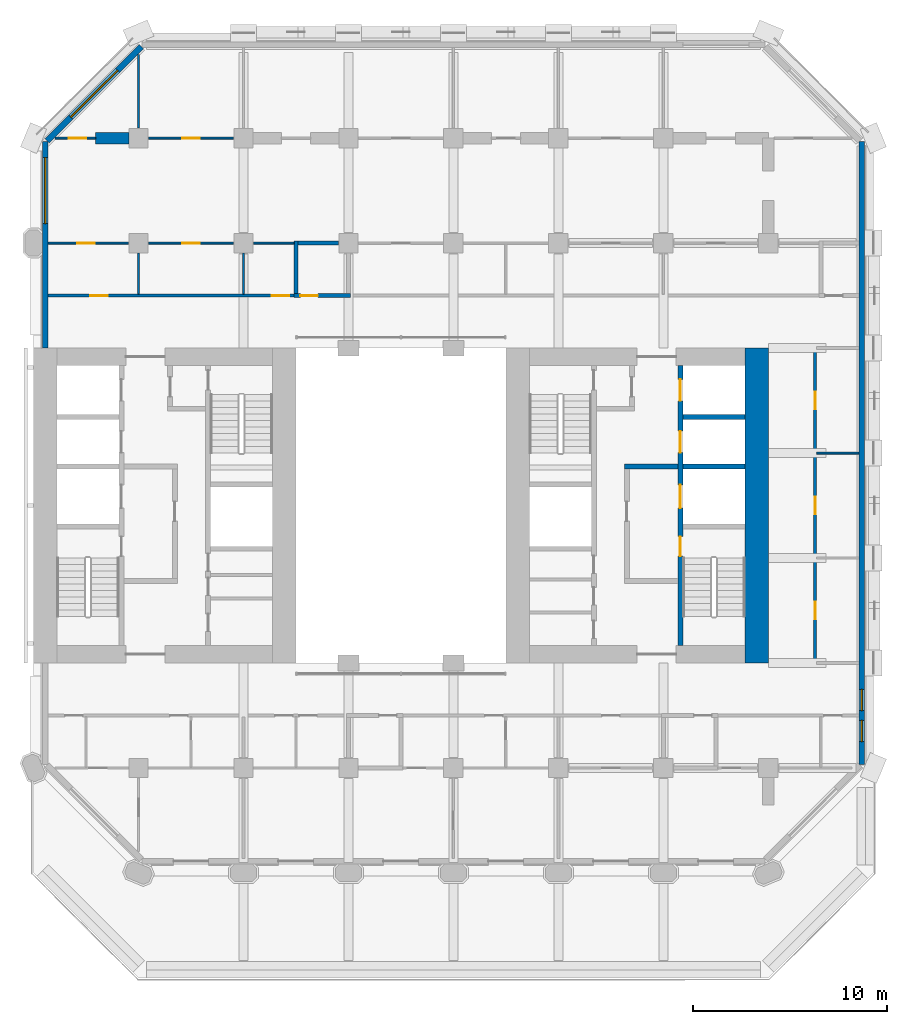
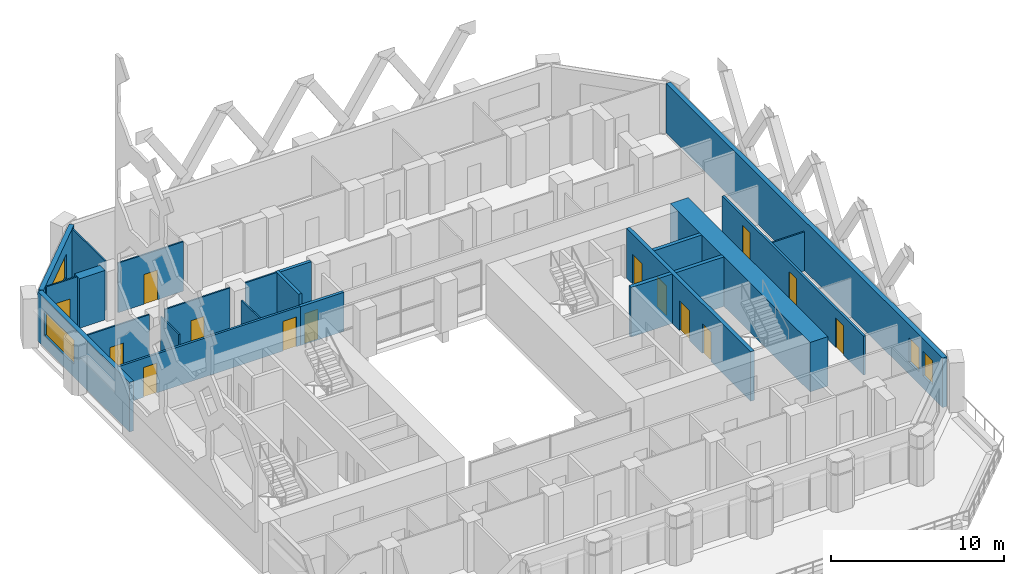
# One storey, part 11 of 16: 23 walls, 14 doors, 4 windows, 18 openings.
"""IFC4 building model written with IfcOpenShell, lengths in metres."""

from ifc_helpers import new_model, si_unit, direction, frame, frame_2d, origin, place, context, subcontext, project, spatial, rectangle, extrude, material, layer, layer_set, type_object, element, fill, save


model = new_model("IFC4")

# Units and contexts
model_context = context("Model", 3, precision=1e-05, world=origin(), true_north=direction((0.0, 1.0)))
body_context = subcontext(model_context, "Body", "Model", "MODEL_VIEW")
ifc_project = project(units=[si_unit("LENGTHUNIT", "METRE"), si_unit("AREAUNIT", "SQUARE_METRE"), si_unit("VOLUMEUNIT", "CUBIC_METRE"), si_unit("PLANEANGLEUNIT", "RADIAN"), si_unit("MASSUNIT", "GRAM", prefix="KILO")], contexts=[model_context])

# Site, building, storey
site_placement = place(None, origin())
site = spatial("IfcSite", under=ifc_project, at=site_placement, CompositionType="ELEMENT")
building_placement = place(site_placement, origin())
building = spatial("IfcBuilding", under=site, at=building_placement, Name="Tabaq Tower and Sports Hall", CompositionType="ELEMENT")
storey_placement = place(building_placement, frame((0.0, 0.0, 65.0)))
storey = spatial("IfcBuildingStorey", under=building, at=storey_placement, Name="L14", CompositionType="ELEMENT", Elevation=65.0)

# Wall
ifc_material_1 = material(Name="Concrete C60/75", Category="concrete")
ifc_layer_1 = layer(ifc_material_1, 1.199951171875)
ifc_layer_set_1 = layer_set([ifc_layer_1], Name="Core wall 1200 Concrete C60/75")
wall_type_1 = type_object("IfcWallType", Name="Core wall 1200 Concrete C60/75", PredefinedType="SOLIDWALL", material=ifc_layer_set_1)
wall_1_placement = place(storey_placement, frame((42.60009765625, 32.39990234375, 0.0), z_axis=(0.0, 0.0, 1.0), x_axis=(0.0, -1.0, 0.0)))
element("IfcWall", 1, at=wall_1_placement, inside=storey, type_object=wall_type_1, Name="Core wall E L14", PredefinedType="SOLIDWALL", context=body_context, shape_type="SweptSolid", body=[
    extrude(rectangle(XDim=16.199951171875, YDim=1.199951171875, at=frame_2d((8.10009765625, 0.0))), origin(), (0.0, 0.0, 1.0), 3.5),
])

# Wall, opening, door
ifc_material_2 = material(Name="Blockwork", Category="masonry")
ifc_layer_2 = layer(ifc_material_2, 0.199951171875)
ifc_layer_set_2 = layer_set([ifc_layer_2], Name="Fire compartment wall 200 Blockwork")
wall_type_2 = type_object("IfcWallType", Name="Fire compartment wall 200 Blockwork", PredefinedType="PARTITIONING", material=ifc_layer_set_2)
wall_2_placement = place(storey_placement, frame((18.800048828125, 35.10009765625, 0.0), z_axis=(0.0, 0.0, 1.0), x_axis=(1.0, 0.0, 0.0)))
wall_2 = element("IfcWall", 2, at=wall_2_placement, inside=storey, type_object=wall_type_2, Name="Compartment wall L14", PredefinedType="PARTITIONING", context=body_context, shape_type="SweptSolid", body=[
    extrude(rectangle(XDim=2.89990234375, YDim=0.199951171875, at=frame_2d((1.449951171875, 0.0))), origin(), (0.0, 0.0, 1.0), 2.75),
])
opening_1_placement = place(wall_2_placement, frame((0.320068359375, 0.0, 0.0)))
opening_1 = element("IfcOpeningElement", 3, at=opening_1_placement, cuts=wall_2, Name="Opening L14-002", PredefinedType="OPENING", context=body_context, shape_type="SweptSolid", body=[
    extrude(rectangle(XDim=0.89990234375, YDim=2.10009765625, at=frame_2d((0.449951171875, 1.050048828125))), frame((0.0, 0.10009765625, 0.0), z_axis=(0.0, -1.0, 0.0), x_axis=(1.0, 0.0, 0.0)), (0.0, 0.0, 1.0), 0.199951171875),
])
ifc_material_3 = material(Name="Steel fire door", Category="steel")
door_type_1 = type_object("IfcDoorType", Name="Plant room door 900 right hand", OperationType="SINGLE_SWING_RIGHT", PredefinedType="DOOR", material=ifc_material_3)
door_1_placement = place(opening_1_placement, origin())
door_1 = element("IfcDoor", 4, at=door_1_placement, inside=storey, type_object=door_type_1, Name="Plant room door L14-002", OperationType="SINGLE_SWING_RIGHT", OverallHeight=2.10009765625, OverallWidth=0.89990234375, PredefinedType="DOOR", context=body_context, shape_type="SweptSolid", body=[
    extrude(rectangle(XDim=0.89990234375, YDim=2.10009765625, at=frame_2d((0.449951171875, 1.050048828125))), frame((0.0, 0.02490234375, 0.0), z_axis=(0.0, -1.0, 0.0), x_axis=(1.0, 0.0, 0.0)), (0.0, 0.0, 1.0), 0.050048828125),
])
fill(opening_1, door_1)

# Walls
wall_3_placement = place(storey_placement, frame((18.89990234375, 35.199951171875, 0.0), z_axis=(0.0, 0.0, 1.0), x_axis=(0.0, 1.0, 0.0)))
element("IfcWall", 5, at=wall_3_placement, inside=storey, type_object=wall_type_2, Name="Compartment wall L14", PredefinedType="PARTITIONING", context=body_context, shape_type="SweptSolid", body=[
    extrude(rectangle(XDim=2.699951171875, YDim=0.199951171875, at=frame_2d((1.35009765625, 0.0))), origin(), (0.0, 0.0, 1.0), 3.5),
])
wall_4_placement = place(storey_placement, frame((21.080078125, 37.800048828125, 0.0), z_axis=(0.0, 0.0, 1.0), x_axis=(-1.0, 0.0, 0.0)))
element("IfcWall", 6, at=wall_4_placement, inside=storey, type_object=wall_type_2, Name="Compartment wall L14", PredefinedType="PARTITIONING", context=body_context, shape_type="SweptSolid", body=[
    extrude(rectangle(XDim=2.080078125, YDim=0.199951171875, at=frame_2d((1.0400390625, 0.0))), origin(), (0.0, 0.0, 1.0), 3.5),
])

# Wall, opening, door
ifc_material_4 = material(Name="Gypsum board on steel studs", Category="steel")
ifc_layer_3 = layer(ifc_material_4, 0.10009765625)
ifc_layer_set_3 = layer_set([ifc_layer_3], Name="Partition 100 Gypsum board")
wall_type_3 = type_object("IfcWallType", Name="Partition 100 Gypsum board", PredefinedType="PARTITIONING", material=ifc_layer_set_3)
wall_5_placement = place(storey_placement, frame((10.280029296875, 37.800048828125, 0.0), z_axis=(0.0, 0.0, 1.0), x_axis=(-1.0, 0.0, 0.0)))
wall_5 = element("IfcWall", 7, at=wall_5_placement, inside=storey, type_object=wall_type_3, Name="Partition wall L14", PredefinedType="PARTITIONING", context=body_context, shape_type="SweptSolid", body=[
    extrude(rectangle(XDim=4.129150390625, YDim=0.10009765625, at=frame_2d((2.064453125, 0.0))), origin(), (0.0, 0.0, 1.0), 3.5),
])
opening_2_placement = place(wall_5_placement, frame((1.72998046875, 0.0, 0.0)))
opening_2 = element("IfcOpeningElement", 8, at=opening_2_placement, cuts=wall_5, Name="Opening L14-029", PredefinedType="OPENING", context=body_context, shape_type="SweptSolid", body=[
    extrude(rectangle(XDim=0.89990234375, YDim=2.10009765625, at=frame_2d((0.449951171875, 1.050048828125))), frame((0.0, 0.050048828125, 0.0), z_axis=(0.0, -1.0, 0.0), x_axis=(1.0, 0.0, 0.0)), (0.0, 0.0, 1.0), 0.10009765625),
])
ifc_material_5 = material(Name="Timber leaf in steel frame", Category="steel")
door_type_2 = type_object("IfcDoorType", Name="Internal door 900 left hand", OperationType="SINGLE_SWING_LEFT", PredefinedType="DOOR", material=ifc_material_5)
door_2_placement = place(opening_2_placement, origin())
door_2 = element("IfcDoor", 9, at=door_2_placement, inside=storey, type_object=door_type_2, Name="Internal door L14-029", OperationType="SINGLE_SWING_LEFT", OverallHeight=2.10009765625, OverallWidth=0.89990234375, PredefinedType="DOOR", context=body_context, shape_type="SweptSolid", body=[
    extrude(rectangle(XDim=0.89990234375, YDim=2.10009765625, at=frame_2d((0.449951171875, 1.050048828125))), frame((0.0, 0.02490234375, 0.0), z_axis=(0.0, -1.0, 0.0), x_axis=(1.0, 0.0, 0.0)), (0.0, 0.0, 1.0), 0.050048828125),
])
fill(opening_2, door_2)

# Walls
wall_6_placement = place(storey_placement, frame((10.800048828125, 35.175048828125, 0.0), z_axis=(0.0, 0.0, 1.0), x_axis=(0.0, 1.0, 0.0)))
element("IfcWall", 10, at=wall_6_placement, inside=storey, type_object=wall_type_3, Name="Partition wall L14", PredefinedType="PARTITIONING", context=body_context, shape_type="SweptSolid", body=[
    extrude(rectangle(XDim=2.10498046875, YDim=0.10009765625, at=frame_2d((1.052490234375, 0.0))), origin(), (0.0, 0.0, 1.0), 3.5),
])
wall_7_placement = place(storey_placement, frame((16.199951171875, 35.175048828125, 0.0), z_axis=(0.0, 0.0, 1.0), x_axis=(0.0, 1.0, 0.0)))
element("IfcWall", 11, at=wall_7_placement, inside=storey, type_object=wall_type_3, Name="Partition wall L14", PredefinedType="PARTITIONING", context=body_context, shape_type="SweptSolid", body=[
    extrude(rectangle(XDim=2.10498046875, YDim=0.10009765625, at=frame_2d((1.052490234375, 0.0))), origin(), (0.0, 0.0, 1.0), 2.75),
])

# Wall, opening, door
wall_8_placement = place(storey_placement, frame((15.679931640625, 37.800048828125, 0.0), z_axis=(0.0, 0.0, 1.0), x_axis=(-1.0, 0.0, 0.0)))
wall_8 = element("IfcWall", 12, at=wall_8_placement, inside=storey, type_object=wall_type_3, Name="Partition wall L14", PredefinedType="PARTITIONING", context=body_context, shape_type="SweptSolid", body=[
    extrude(rectangle(XDim=4.35986328125, YDim=0.10009765625, at=frame_2d((2.179931640625, 0.0))), origin(), (0.0, 0.0, 1.0), 3.5),
])
opening_3_placement = place(wall_8_placement, frame((1.72998046875, 0.0, 0.0)))
opening_3 = element("IfcOpeningElement", 13, at=opening_3_placement, cuts=wall_8, Name="Opening L14-013", PredefinedType="OPENING", context=body_context, shape_type="SweptSolid", body=[
    extrude(rectangle(XDim=0.89990234375, YDim=2.10009765625, at=frame_2d((0.449951171875, 1.050048828125))), frame((0.0, 0.050048828125, 0.0), z_axis=(0.0, -1.0, 0.0), x_axis=(1.0, 0.0, 0.0)), (0.0, 0.0, 1.0), 0.10009765625),
])
ifc_material_6 = material(Name="Timber leaf in steel frame", Category="steel")
door_type_3 = type_object("IfcDoorType", Name="Internal door 900 right hand", OperationType="SINGLE_SWING_RIGHT", PredefinedType="DOOR", material=ifc_material_6)
door_3_placement = place(opening_3_placement, origin())
door_3 = element("IfcDoor", 14, at=door_3_placement, inside=storey, type_object=door_type_3, Name="Internal door L14-013", OperationType="SINGLE_SWING_RIGHT", OverallHeight=2.10009765625, OverallWidth=0.89990234375, PredefinedType="DOOR", context=body_context, shape_type="SweptSolid", body=[
    extrude(rectangle(XDim=0.89990234375, YDim=2.10009765625, at=frame_2d((0.449951171875, 1.050048828125))), frame((0.0, 0.02490234375, 0.0), z_axis=(0.0, -1.0, 0.0), x_axis=(1.0, 0.0, 0.0)), (0.0, 0.0, 1.0), 0.050048828125),
])
fill(opening_3, door_3)

# Wall
wall_9_placement = place(storey_placement, frame((18.800048828125, 37.800048828125, 0.0), z_axis=(0.0, 0.0, 1.0), x_axis=(-1.0, 0.0, 0.0)))
element("IfcWall", 15, at=wall_9_placement, inside=storey, type_object=wall_type_3, Name="Partition wall L14", PredefinedType="PARTITIONING", context=body_context, shape_type="SweptSolid", body=[
    extrude(rectangle(XDim=2.080078125, YDim=0.10009765625, at=frame_2d((1.0400390625, 0.0))), origin(), (0.0, 0.0, 1.0), 3.5),
])

# Wall, opening, door
wall_10_placement = place(storey_placement, frame((15.679931640625, 43.199951171875, 0.0), z_axis=(0.0, 0.0, 1.0), x_axis=(-1.0, 0.0, 0.0)))
wall_10 = element("IfcWall", 16, at=wall_10_placement, inside=storey, type_object=wall_type_3, Name="Partition wall L14", PredefinedType="PARTITIONING", context=body_context, shape_type="SweptSolid", body=[
    extrude(rectangle(XDim=4.35986328125, YDim=0.10009765625, at=frame_2d((2.179931640625, 0.0))), origin(), (0.0, 0.0, 1.0), 3.5),
])
opening_4_placement = place(wall_10_placement, frame((1.72998046875, 0.0, 0.0)))
opening_4 = element("IfcOpeningElement", 17, at=opening_4_placement, cuts=wall_10, Name="Opening L14-018", PredefinedType="OPENING", context=body_context, shape_type="SweptSolid", body=[
    extrude(rectangle(XDim=0.89990234375, YDim=2.10009765625, at=frame_2d((0.449951171875, 1.050048828125))), frame((0.0, 0.050048828125, 0.0), z_axis=(0.0, -1.0, 0.0), x_axis=(1.0, 0.0, 0.0)), (0.0, 0.0, 1.0), 0.10009765625),
])
door_4_placement = place(opening_4_placement, origin())
door_4 = element("IfcDoor", 18, at=door_4_placement, inside=storey, type_object=door_type_3, Name="Internal door L14-018", OperationType="SINGLE_SWING_RIGHT", OverallHeight=2.10009765625, OverallWidth=0.89990234375, PredefinedType="DOOR", context=body_context, shape_type="SweptSolid", body=[
    extrude(rectangle(XDim=0.89990234375, YDim=2.10009765625, at=frame_2d((0.449951171875, 1.050048828125))), frame((0.0, 0.02490234375, 0.0), z_axis=(0.0, -1.0, 0.0), x_axis=(1.0, 0.0, 0.0)), (0.0, 0.0, 1.0), 0.050048828125),
])
fill(opening_4, door_4)

wall_11_placement = place(storey_placement, frame((8.60009765625, 43.199951171875, 0.0), z_axis=(0.0, 0.0, 1.0), x_axis=(-1.0, 0.0, 0.0)))
wall_11 = element("IfcWall", 19, at=wall_11_placement, inside=storey, type_object=wall_type_3, Name="Partition wall L14", PredefinedType="PARTITIONING", context=body_context, shape_type="SweptSolid", body=[
    extrude(rectangle(XDim=2.087890625, YDim=0.10009765625, at=frame_2d((1.0439453125, 0.0))), origin(), (0.0, 0.0, 1.0), 3.5),
])
opening_5_placement = place(wall_11_placement, frame((0.5, 0.0, 0.0)))
opening_5 = element("IfcOpeningElement", 20, at=opening_5_placement, cuts=wall_11, Name="Opening L14-017", PredefinedType="OPENING", context=body_context, shape_type="SweptSolid", body=[
    extrude(rectangle(XDim=0.89990234375, YDim=2.10009765625, at=frame_2d((0.449951171875, 1.050048828125))), frame((0.0, 0.050048828125, 0.0), z_axis=(0.0, -1.0, 0.0), x_axis=(1.0, 0.0, 0.0)), (0.0, 0.0, 1.0), 0.10009765625),
])
door_5_placement = place(opening_5_placement, origin())
door_5 = element("IfcDoor", 21, at=door_5_placement, inside=storey, type_object=door_type_3, Name="Internal door L14-017", OperationType="SINGLE_SWING_RIGHT", OverallHeight=2.10009765625, OverallWidth=0.89990234375, PredefinedType="DOOR", context=body_context, shape_type="SweptSolid", body=[
    extrude(rectangle(XDim=0.89990234375, YDim=2.10009765625, at=frame_2d((0.449951171875, 1.050048828125))), frame((0.0, 0.02490234375, 0.0), z_axis=(0.0, -1.0, 0.0), x_axis=(1.0, 0.0, 0.0)), (0.0, 0.0, 1.0), 0.050048828125),
])
fill(opening_5, door_5)

# Walls
wall_12_placement = place(storey_placement, frame((10.800048828125, 43.719970703125, 0.0), z_axis=(0.0, 0.0, 1.0), x_axis=(0.0, 1.0, 0.0)))
element("IfcWall", 22, at=wall_12_placement, inside=storey, type_object=wall_type_3, Name="Partition wall L14", PredefinedType="PARTITIONING", context=body_context, shape_type="SweptSolid", body=[
    extrude(rectangle(XDim=3.767822265625, YDim=0.10009765625, at=frame_2d((1.8837890625, 0.0))), origin(), (0.0, 0.0, 1.0), 3.5),
])
wall_13_placement = place(storey_placement, frame((45.675048828125, 27.0, 0.0), z_axis=(0.0, 0.0, 1.0), x_axis=(1.0, 0.0, 0.0)))
element("IfcWall", 23, at=wall_13_placement, inside=storey, type_object=wall_type_3, Name="Partition wall L14", PredefinedType="PARTITIONING", context=body_context, shape_type="SweptSolid", body=[
    extrude(rectangle(XDim=2.174072265625, YDim=0.10009765625, at=frame_2d((1.0869140625, 0.0))), origin(), (0.0, 0.0, 1.0), 2.75),
])
ifc_material_7 = material(Name="Concrete C60/75", Category="concrete")
ifc_layer_4 = layer(ifc_material_7, 0.60009765625)
ifc_layer_set_4 = layer_set([ifc_layer_4], Name="RC TRANSFER WALL 600 C60/75")
wall_type_4 = type_object("IfcWallType", Name="RC TRANSFER WALL 600 C60/75", PredefinedType="SHEAR", material=ifc_layer_set_4)
wall_14_placement = place(storey_placement, frame((8.60009765625, 43.199951171875, 0.0), z_axis=(0.0, 0.0, 1.0), x_axis=(1.0, 0.0, 0.0)))
element("IfcWall", 24, at=wall_14_placement, inside=storey, type_object=wall_type_4, Name="Transfer Wall L14 North 6", PredefinedType="SHEAR", context=body_context, shape_type="SweptSolid", body=[
    extrude(rectangle(XDim=1.699951171875, YDim=0.60009765625, at=frame_2d((0.85009765625, 0.0))), origin(), (0.0, 0.0, 1.0), 3.5),
])

# Wall, openings, doors
ifc_material_8 = material(Name="Blockwork", Category="masonry")
ifc_layer_5 = layer(ifc_material_8, 0.14990234375)
ifc_layer_set_5 = layer_set([ifc_layer_5], Name="Separating wall 150 Blockwork")
wall_type_5 = type_object("IfcWallType", Name="Separating wall 150 Blockwork", PredefinedType="PARTITIONING", material=ifc_layer_set_5)
wall_15_placement = place(storey_placement, frame((45.60009765625, 32.47509765625, 0.0), z_axis=(0.0, 0.0, 1.0), x_axis=(0.0, -1.0, 0.0)))
wall_15 = element("IfcWall", 25, at=wall_15_placement, inside=storey, type_object=wall_type_5, Name="Separating wall L14", PredefinedType="PARTITIONING", context=body_context, shape_type="SweptSolid", body=[
    extrude(rectangle(XDim=16.35009765625, YDim=0.14990234375, at=frame_2d((8.175048828125, 0.0))), origin(), (0.0, 0.0, 1.0), 2.75),
])
opening_6_placement = place(wall_15_placement, frame((13.125, 0.0, 0.0)))
opening_6 = element("IfcOpeningElement", 26, at=opening_6_placement, cuts=wall_15, Name="Opening L14-010", PredefinedType="OPENING", context=body_context, shape_type="SweptSolid", body=[
    extrude(rectangle(XDim=0.89990234375, YDim=2.10009765625, at=frame_2d((0.449951171875, 1.050048828125))), frame((0.0, 0.074951171875, 0.0), z_axis=(0.0, -1.0, 0.0), x_axis=(1.0, 0.0, 0.0)), (0.0, 0.0, 1.0), 0.14990234375),
])
opening_7_placement = place(wall_15_placement, frame((7.72509765625, 0.0, 0.0)))
opening_7 = element("IfcOpeningElement", 27, at=opening_7_placement, cuts=wall_15, Name="Opening L14-011", PredefinedType="OPENING", context=body_context, shape_type="SweptSolid", body=[
    extrude(rectangle(XDim=0.89990234375, YDim=2.10009765625, at=frame_2d((0.449951171875, 1.050048828125))), frame((0.0, 0.074951171875, 0.0), z_axis=(0.0, -1.0, 0.0), x_axis=(1.0, 0.0, 0.0)), (0.0, 0.0, 1.0), 0.14990234375),
])
opening_8_placement = place(wall_15_placement, frame((2.324951171875, 0.0, 0.0)))
opening_8 = element("IfcOpeningElement", 28, at=opening_8_placement, cuts=wall_15, Name="Opening L14-012", PredefinedType="OPENING", context=body_context, shape_type="SweptSolid", body=[
    extrude(rectangle(XDim=0.89990234375, YDim=2.10009765625, at=frame_2d((0.449951171875, 1.050048828125))), frame((0.0, 0.074951171875, 0.0), z_axis=(0.0, -1.0, 0.0), x_axis=(1.0, 0.0, 0.0)), (0.0, 0.0, 1.0), 0.14990234375),
])
door_6_placement = place(opening_6_placement, origin())
door_6 = element("IfcDoor", 29, at=door_6_placement, inside=storey, type_object=door_type_3, Name="Internal door L14-010", OperationType="SINGLE_SWING_RIGHT", OverallHeight=2.10009765625, OverallWidth=0.89990234375, PredefinedType="DOOR", context=body_context, shape_type="SweptSolid", body=[
    extrude(rectangle(XDim=0.89990234375, YDim=2.10009765625, at=frame_2d((0.449951171875, 1.050048828125))), frame((0.0, 0.02490234375, 0.0), z_axis=(0.0, -1.0, 0.0), x_axis=(1.0, 0.0, 0.0)), (0.0, 0.0, 1.0), 0.050048828125),
])
fill(opening_6, door_6)
door_7_placement = place(opening_7_placement, origin())
door_7 = element("IfcDoor", 30, at=door_7_placement, inside=storey, type_object=door_type_3, Name="Internal door L14-011", OperationType="SINGLE_SWING_RIGHT", OverallHeight=2.10009765625, OverallWidth=0.89990234375, PredefinedType="DOOR", context=body_context, shape_type="SweptSolid", body=[
    extrude(rectangle(XDim=0.89990234375, YDim=2.10009765625, at=frame_2d((0.449951171875, 1.050048828125))), frame((0.0, 0.02490234375, 0.0), z_axis=(0.0, -1.0, 0.0), x_axis=(1.0, 0.0, 0.0)), (0.0, 0.0, 1.0), 0.050048828125),
])
fill(opening_7, door_7)
door_8_placement = place(opening_8_placement, origin())
door_8 = element("IfcDoor", 31, at=door_8_placement, inside=storey, type_object=door_type_3, Name="Internal door L14-012", OperationType="SINGLE_SWING_RIGHT", OverallHeight=2.10009765625, OverallWidth=0.89990234375, PredefinedType="DOOR", context=body_context, shape_type="SweptSolid", body=[
    extrude(rectangle(XDim=0.89990234375, YDim=2.10009765625, at=frame_2d((0.449951171875, 1.050048828125))), frame((0.0, 0.02490234375, 0.0), z_axis=(0.0, -1.0, 0.0), x_axis=(1.0, 0.0, 0.0)), (0.0, 0.0, 1.0), 0.050048828125),
])
fill(opening_8, door_8)

wall_16_placement = place(storey_placement, frame((6.15087890625, 35.10009765625, 0.0), z_axis=(0.0, 0.0, 1.0), x_axis=(1.0, 0.0, 0.0)))
wall_16 = element("IfcWall", 32, at=wall_16_placement, inside=storey, type_object=wall_type_5, Name="Separating wall L14", PredefinedType="PARTITIONING", context=body_context, shape_type="SweptSolid", body=[
    extrude(rectangle(XDim=12.649169921875, YDim=0.14990234375, at=frame_2d((6.32470703125, 0.0))), origin(), (0.0, 0.0, 1.0), 2.75),
])
opening_9_placement = place(wall_16_placement, frame((11.4990234375, 0.0, 0.0)))
opening_9 = element("IfcOpeningElement", 33, at=opening_9_placement, cuts=wall_16, Name="Opening L14-001", PredefinedType="OPENING", context=body_context, shape_type="SweptSolid", body=[
    extrude(rectangle(XDim=0.89990234375, YDim=2.10009765625, at=frame_2d((0.449951171875, 1.050048828125))), frame((0.0, 0.074951171875, 0.0), z_axis=(0.0, -1.0, 0.0), x_axis=(1.0, 0.0, 0.0)), (0.0, 0.0, 1.0), 0.14990234375),
])
opening_10_placement = place(wall_16_placement, frame((2.174072265625, 0.0, 0.0)))
opening_10 = element("IfcOpeningElement", 34, at=opening_10_placement, cuts=wall_16, Name="Opening L14-027", PredefinedType="OPENING", context=body_context, shape_type="SweptSolid", body=[
    extrude(rectangle(XDim=0.89990234375, YDim=2.10009765625, at=frame_2d((0.449951171875, 1.050048828125))), frame((0.0, 0.074951171875, 0.0), z_axis=(0.0, -1.0, 0.0), x_axis=(1.0, 0.0, 0.0)), (0.0, 0.0, 1.0), 0.14990234375),
])
ifc_material_9 = material(Name="Steel fire door", Category="steel")
door_type_4 = type_object("IfcDoorType", Name="Entrance door 900 right hand", OperationType="SINGLE_SWING_RIGHT", PredefinedType="DOOR", material=ifc_material_9)
door_9_placement = place(opening_9_placement, origin())
door_9 = element("IfcDoor", 35, at=door_9_placement, inside=storey, type_object=door_type_4, Name="Entrance door L14-001", OperationType="SINGLE_SWING_RIGHT", OverallHeight=2.10009765625, OverallWidth=0.89990234375, PredefinedType="DOOR", context=body_context, shape_type="SweptSolid", body=[
    extrude(rectangle(XDim=0.89990234375, YDim=2.10009765625, at=frame_2d((0.449951171875, 1.050048828125))), frame((0.0, 0.02490234375, 0.0), z_axis=(0.0, -1.0, 0.0), x_axis=(1.0, 0.0, 0.0)), (0.0, 0.0, 1.0), 0.050048828125),
])
fill(opening_9, door_9)
door_10_placement = place(opening_10_placement, origin())
door_10 = element("IfcDoor", 36, at=door_10_placement, inside=storey, type_object=door_type_4, Name="Entrance door L14-027", OperationType="SINGLE_SWING_RIGHT", OverallHeight=2.10009765625, OverallWidth=0.89990234375, PredefinedType="DOOR", context=body_context, shape_type="SweptSolid", body=[
    extrude(rectangle(XDim=0.89990234375, YDim=2.10009765625, at=frame_2d((0.449951171875, 1.050048828125))), frame((0.0, 0.02490234375, 0.0), z_axis=(0.0, -1.0, 0.0), x_axis=(1.0, 0.0, 0.0)), (0.0, 0.0, 1.0), 0.050048828125),
])
fill(opening_10, door_10)

ifc_material_10 = material(Name="Concrete C40/50", Category="concrete")
ifc_layer_6 = layer(ifc_material_10, 0.25)
ifc_layer_set_6 = layer_set([ifc_layer_6], Name="Shaft and stair wall 250 Concrete C40/50")
wall_type_6 = type_object("IfcWallType", Name="Shaft and stair wall 250 Concrete C40/50", PredefinedType="SOLIDWALL", material=ifc_layer_set_6)
wall_17_placement = place(storey_placement, frame((38.675048828125, 17.10009765625, 0.0), z_axis=(0.0, 0.0, 1.0), x_axis=(0.0, 1.0, 0.0)))
wall_17 = element("IfcWall", 37, at=wall_17_placement, inside=storey, type_object=wall_type_6, Name="Shaft wall E L14", PredefinedType="SOLIDWALL", context=body_context, shape_type="SweptSolid", body=[
    extrude(rectangle(XDim=14.39990234375, YDim=0.25, at=frame_2d((7.199951171875, 0.0))), origin(), (0.0, 0.0, 1.0), 3.5),
])
opening_11_placement = place(wall_17_placement, frame((4.60009765625, 0.0, 0.0)))
opening_11 = element("IfcOpeningElement", 38, at=opening_11_placement, cuts=wall_17, Name="Opening SD-EL14-03", PredefinedType="OPENING", context=body_context, shape_type="SweptSolid", body=[
    extrude(rectangle(XDim=1.0, YDim=2.10009765625, at=frame_2d((0.5, 1.050048828125))), frame((0.0, 0.125, 0.0), z_axis=(0.0, -1.0, 0.0), x_axis=(1.0, 0.0, 0.0)), (0.0, 0.0, 1.0), 0.25),
])
opening_12_placement = place(wall_17_placement, frame((7.0625, 0.0, 0.0)))
opening_12 = element("IfcOpeningElement", 39, at=opening_12_placement, cuts=wall_17, Name="Opening LD-FF2-L14", PredefinedType="OPENING", context=body_context, shape_type="SweptSolid", body=[
    extrude(rectangle(XDim=1.199951171875, YDim=2.10009765625, at=frame_2d((0.60009765625, 1.050048828125))), frame((0.0, 0.125, 0.0), z_axis=(0.0, -1.0, 0.0), x_axis=(1.0, 0.0, 0.0)), (0.0, 0.0, 1.0), 0.25),
])
opening_13_placement = place(wall_17_placement, frame((9.925048828125, 0.0, 0.0)))
opening_13 = element("IfcOpeningElement", 40, at=opening_13_placement, cuts=wall_17, Name="Opening LD-LR3-L14", PredefinedType="OPENING", context=body_context, shape_type="SweptSolid", body=[
    extrude(rectangle(XDim=1.10009765625, YDim=2.10009765625, at=frame_2d((0.550048828125, 1.050048828125))), frame((0.0, 0.125, 0.0), z_axis=(0.0, -1.0, 0.0), x_axis=(1.0, 0.0, 0.0)), (0.0, 0.0, 1.0), 0.25),
])
opening_14_placement = place(wall_17_placement, frame((12.58740234375, 0.0, 0.0)))
opening_14 = element("IfcOpeningElement", 41, at=opening_14_placement, cuts=wall_17, Name="Opening LD-LR4-L14", PredefinedType="OPENING", context=body_context, shape_type="SweptSolid", body=[
    extrude(rectangle(XDim=1.10009765625, YDim=2.10009765625, at=frame_2d((0.550048828125, 1.050048828125))), frame((0.0, 0.125, 0.0), z_axis=(0.0, -1.0, 0.0), x_axis=(1.0, 0.0, 0.0)), (0.0, 0.0, 1.0), 0.25),
])
ifc_material_11 = material(Name="Stainless steel", Category="steel")
door_type_5 = type_object("IfcDoorType", Name="Lift landing door 1100", OperationType="DOUBLE_DOOR_SLIDING", PredefinedType="DOOR", material=ifc_material_11)
door_11_placement = place(opening_13_placement, origin())
door_11 = element("IfcDoor", 42, at=door_11_placement, inside=storey, type_object=door_type_5, Name="Lift landing door LR3 E L14", OperationType="DOUBLE_DOOR_SLIDING", OverallHeight=2.10009765625, OverallWidth=1.10009765625, PredefinedType="DOOR", context=body_context, shape_type="SweptSolid", body=[
    extrude(rectangle(XDim=1.10009765625, YDim=2.10009765625, at=frame_2d((0.550048828125, 1.050048828125))), frame((0.0, 0.02490234375, 0.0), z_axis=(0.0, -1.0, 0.0), x_axis=(1.0, 0.0, 0.0)), (0.0, 0.0, 1.0), 0.050048828125),
])
fill(opening_13, door_11)
door_12_placement = place(opening_14_placement, origin())
door_12 = element("IfcDoor", 43, at=door_12_placement, inside=storey, type_object=door_type_5, Name="Lift landing door LR4 E L14", OperationType="DOUBLE_DOOR_SLIDING", OverallHeight=2.10009765625, OverallWidth=1.10009765625, PredefinedType="DOOR", context=body_context, shape_type="SweptSolid", body=[
    extrude(rectangle(XDim=1.10009765625, YDim=2.10009765625, at=frame_2d((0.550048828125, 1.050048828125))), frame((0.0, 0.02490234375, 0.0), z_axis=(0.0, -1.0, 0.0), x_axis=(1.0, 0.0, 0.0)), (0.0, 0.0, 1.0), 0.050048828125),
])
fill(opening_14, door_12)
ifc_material_12 = material(Name="Stainless steel", Category="steel")
door_type_6 = type_object("IfcDoorType", Name="Lift landing door 1200", OperationType="DOUBLE_DOOR_SLIDING", PredefinedType="DOOR", material=ifc_material_12)
door_13_placement = place(opening_12_placement, origin())
door_13 = element("IfcDoor", 44, at=door_13_placement, inside=storey, type_object=door_type_6, Name="Lift landing door FF2 E L14", OperationType="DOUBLE_DOOR_SLIDING", OverallHeight=2.10009765625, OverallWidth=1.199951171875, PredefinedType="DOOR", context=body_context, shape_type="SweptSolid", body=[
    extrude(rectangle(XDim=1.199951171875, YDim=2.10009765625, at=frame_2d((0.60009765625, 1.050048828125))), frame((0.0, 0.02490234375, 0.0), z_axis=(0.0, -1.0, 0.0), x_axis=(1.0, 0.0, 0.0)), (0.0, 0.0, 1.0), 0.050048828125),
])
fill(opening_12, door_13)
ifc_material_13 = material(Name="Steel fire door", Category="steel")
door_type_7 = type_object("IfcDoorType", Name="Stair door 1000", OperationType="SINGLE_SWING_LEFT", PredefinedType="DOOR", material=ifc_material_13)
door_14_placement = place(opening_11_placement, origin())
door_14 = element("IfcDoor", 45, at=door_14_placement, inside=storey, type_object=door_type_7, Name="Stair door ST3 E L14", OperationType="SINGLE_SWING_LEFT", OverallHeight=2.10009765625, OverallWidth=1.0, PredefinedType="DOOR", context=body_context, shape_type="SweptSolid", body=[
    extrude(rectangle(XDim=1.0, YDim=2.10009765625, at=frame_2d((0.5, 1.050048828125))), frame((0.0, 0.02490234375, 0.0), z_axis=(0.0, -1.0, 0.0), x_axis=(1.0, 0.0, 0.0)), (0.0, 0.0, 1.0), 0.050048828125),
])
fill(opening_11, door_14)

# Walls
wall_18_placement = place(storey_placement, frame((38.800048828125, 26.300048828125, 0.0), z_axis=(0.0, 0.0, 1.0), x_axis=(1.0, 0.0, 0.0)))
element("IfcWall", 46, at=wall_18_placement, inside=storey, type_object=wall_type_6, Name="Shaft wall E L14", PredefinedType="SOLIDWALL", context=body_context, shape_type="SweptSolid", body=[
    extrude(rectangle(XDim=3.199951171875, YDim=0.25, at=frame_2d((1.60009765625, 0.0))), origin(), (0.0, 0.0, 1.0), 3.5),
])
wall_19_placement = place(storey_placement, frame((35.800048828125, 26.300048828125, 0.0), z_axis=(0.0, 0.0, 1.0), x_axis=(1.0, 0.0, 0.0)))
element("IfcWall", 47, at=wall_19_placement, inside=storey, type_object=wall_type_6, Name="Fire-fighting lobby wall E L14", PredefinedType="SOLIDWALL", context=body_context, shape_type="SweptSolid", body=[
    extrude(rectangle(XDim=2.75, YDim=0.25, at=frame_2d((1.375, 0.0))), origin(), (0.0, 0.0, 1.0), 3.5),
])
wall_20_placement = place(storey_placement, frame((38.800048828125, 28.85009765625, 0.0), z_axis=(0.0, 0.0, 1.0), x_axis=(1.0, 0.0, 0.0)))
element("IfcWall", 48, at=wall_20_placement, inside=storey, type_object=wall_type_6, Name="Shaft wall E L14", PredefinedType="SOLIDWALL", context=body_context, shape_type="SweptSolid", body=[
    extrude(rectangle(XDim=3.199951171875, YDim=0.25, at=frame_2d((1.60009765625, 0.0))), origin(), (0.0, 0.0, 1.0), 3.5),
])

# Wall, openings, windows
ifc_material_14 = material(Name="White precast concrete C60/75", Category="concrete")
ifc_layer_7 = layer(ifc_material_14, 0.300048828125)
ifc_layer_set_7 = layer_set([ifc_layer_7], Name="White precast concrete C60/75 external wall 300")
wall_type_7 = type_object("IfcWallType", Name="White precast concrete C60/75 external wall 300", PredefinedType="SOLIDWALL", material=ifc_layer_set_7)
wall_21_placement = place(storey_placement, frame((48.0, 10.986328125, 0.0), z_axis=(0.0, 0.0, 1.0), x_axis=(0.0, 1.0, 0.0)))
wall_21 = element("IfcWall", 49, at=wall_21_placement, inside=storey, type_object=wall_type_7, Name="External Wall L14 E", PredefinedType="SOLIDWALL", context=body_context, shape_type="SweptSolid", body=[
    extrude(rectangle(XDim=32.02734375, YDim=0.300048828125, at=frame_2d((16.013671875, 0.0))), origin(), (0.0, 0.0, 1.0), 3.5),
])
opening_15_placement = place(wall_21_placement, frame((1.16357421875, 0.0, 0.89990234375)))
opening_15 = element("IfcOpeningElement", 50, at=opening_15_placement, cuts=wall_21, Name="Opening W1B", PredefinedType="OPENING", context=body_context, shape_type="SweptSolid", body=[
    extrude(rectangle(XDim=1.10009765625, YDim=1.699951171875, at=frame_2d((0.550048828125, 0.85009765625))), frame((0.0, 0.16015625, 0.0), z_axis=(0.0, -1.0, 0.0), x_axis=(1.0, 0.0, 0.0)), (0.0, 0.0, 1.0), 0.320068359375),
])
opening_16_placement = place(wall_21_placement, frame((2.763671875, 0.0, 0.89990234375)))
opening_16 = element("IfcOpeningElement", 51, at=opening_16_placement, cuts=wall_21, Name="Opening W1B", PredefinedType="OPENING", context=body_context, shape_type="SweptSolid", body=[
    extrude(rectangle(XDim=1.10009765625, YDim=1.699951171875, at=frame_2d((0.550048828125, 0.85009765625))), frame((0.0, 0.16015625, 0.0), z_axis=(0.0, -1.0, 0.0), x_axis=(1.0, 0.0, 0.0)), (0.0, 0.0, 1.0), 0.320068359375),
])
ifc_material_15 = material(Name="Aluminium framed clear glazing", Category="aluminium")
window_type_1 = type_object("IfcWindowType", Name="Window W1B", PartitioningType="SINGLE_PANEL", PredefinedType="WINDOW", material=ifc_material_15)
window_1_placement = place(opening_15_placement, origin())
window_1 = element("IfcWindow", 52, at=window_1_placement, inside=storey, type_object=window_type_1, Name="Window W1B L14", OverallHeight=1.699951171875, OverallWidth=1.10009765625, PartitioningType="SINGLE_PANEL", PredefinedType="WINDOW", context=body_context, shape_type="SweptSolid", body=[
    extrude(rectangle(XDim=1.10009765625, YDim=1.699951171875, at=frame_2d((0.550048828125, 0.85009765625))), frame((0.0, 0.030029296875, 0.0), z_axis=(0.0, -1.0, 0.0), x_axis=(1.0, 0.0, 0.0)), (0.0, 0.0, 1.0), 0.06005859375),
])
fill(opening_15, window_1)
window_2_placement = place(opening_16_placement, origin())
window_2 = element("IfcWindow", 53, at=window_2_placement, inside=storey, type_object=window_type_1, Name="Window W1B L14", OverallHeight=1.699951171875, OverallWidth=1.10009765625, PartitioningType="SINGLE_PANEL", PredefinedType="WINDOW", context=body_context, shape_type="SweptSolid", body=[
    extrude(rectangle(XDim=1.10009765625, YDim=1.699951171875, at=frame_2d((0.550048828125, 0.85009765625))), frame((0.0, 0.030029296875, 0.0), z_axis=(0.0, -1.0, 0.0), x_axis=(1.0, 0.0, 0.0)), (0.0, 0.0, 1.0), 0.06005859375),
])
fill(opening_16, window_2)

# Wall, opening, window
wall_22_placement = place(storey_placement, frame((10.949462890625, 47.901123046875, 0.0), z_axis=(0.0, 0.0, 1.0), x_axis=(-0.707106781187, -0.707106781187, 0.0)))
wall_22 = element("IfcWall", 54, at=wall_22_placement, inside=storey, type_object=wall_type_7, Name="External Wall L14 NW", PredefinedType="SOLIDWALL", context=body_context, shape_type="SweptSolid", body=[
    extrude(rectangle(XDim=6.85986328125, YDim=0.300048828125, at=frame_2d((3.429931640625, 0.0))), origin(), (0.0, 0.0, 1.0), 3.5),
])
opening_17_placement = place(wall_22_placement, frame((1.729736328125, 0.0, 0.89990234375)))
opening_17 = element("IfcOpeningElement", 55, at=opening_17_placement, cuts=wall_22, Name="Opening W1A", PredefinedType="OPENING", context=body_context, shape_type="SweptSolid", body=[
    extrude(rectangle(XDim=3.39990234375, YDim=1.699951171875, at=frame_2d((1.699951171875, 0.85009765625))), frame((0.0, 0.16015625, 0.0), z_axis=(0.0, -1.0, 0.0), x_axis=(1.0, 0.0, 0.0)), (0.0, 0.0, 1.0), 0.320068359375),
])
ifc_material_16 = material(Name="Aluminium framed clear glazing", Category="aluminium")
window_type_2 = type_object("IfcWindowType", Name="Window W1A", PartitioningType="SINGLE_PANEL", PredefinedType="WINDOW", material=ifc_material_16)
window_3_placement = place(opening_17_placement, origin())
window_3 = element("IfcWindow", 56, at=window_3_placement, inside=storey, type_object=window_type_2, Name="Window W1A L14", OverallHeight=1.699951171875, OverallWidth=3.39990234375, PartitioningType="SINGLE_PANEL", PredefinedType="WINDOW", context=body_context, shape_type="SweptSolid", body=[
    extrude(rectangle(XDim=3.39990234375, YDim=1.699951171875, at=frame_2d((1.699951171875, 0.85009765625))), frame((0.0, 0.030029296875, 0.0), z_axis=(0.0, -1.0, 0.0), x_axis=(1.0, 0.0, 0.0)), (0.0, 0.0, 1.0), 0.06005859375),
])
fill(opening_17, window_3)

wall_23_placement = place(storey_placement, frame((6.0, 43.013671875, 0.0), z_axis=(0.0, 0.0, 1.0), x_axis=(0.0, -1.0, 0.0)))
wall_23 = element("IfcWall", 57, at=wall_23_placement, inside=storey, type_object=wall_type_7, Name="External Wall L14 W", PredefinedType="SOLIDWALL", context=body_context, shape_type="SweptSolid", body=[
    extrude(rectangle(XDim=10.61376953125, YDim=0.300048828125, at=frame_2d((5.306884765625, 0.0))), origin(), (0.0, 0.0, 1.0), 3.5),
])
opening_18_placement = place(wall_23_placement, frame((0.813720703125, 0.0, 0.89990234375)))
opening_18 = element("IfcOpeningElement", 58, at=opening_18_placement, cuts=wall_23, Name="Opening W1A", PredefinedType="OPENING", context=body_context, shape_type="SweptSolid", body=[
    extrude(rectangle(XDim=3.39990234375, YDim=1.699951171875, at=frame_2d((1.699951171875, 0.85009765625))), frame((0.0, 0.16015625, 0.0), z_axis=(0.0, -1.0, 0.0), x_axis=(1.0, 0.0, 0.0)), (0.0, 0.0, 1.0), 0.320068359375),
])
window_4_placement = place(opening_18_placement, origin())
window_4 = element("IfcWindow", 59, at=window_4_placement, inside=storey, type_object=window_type_2, Name="Window W1A L14", OverallHeight=1.699951171875, OverallWidth=3.39990234375, PartitioningType="SINGLE_PANEL", PredefinedType="WINDOW", context=body_context, shape_type="SweptSolid", body=[
    extrude(rectangle(XDim=3.39990234375, YDim=1.699951171875, at=frame_2d((1.699951171875, 0.85009765625))), frame((0.0, 0.030029296875, 0.0), z_axis=(0.0, -1.0, 0.0), x_axis=(1.0, 0.0, 0.0)), (0.0, 0.0, 1.0), 0.06005859375),
])
fill(opening_18, window_4)

save(model, "model.ifc")
